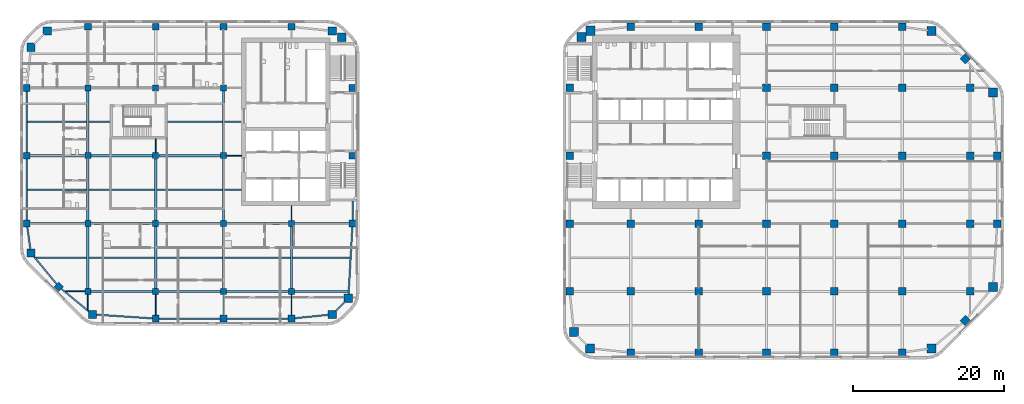
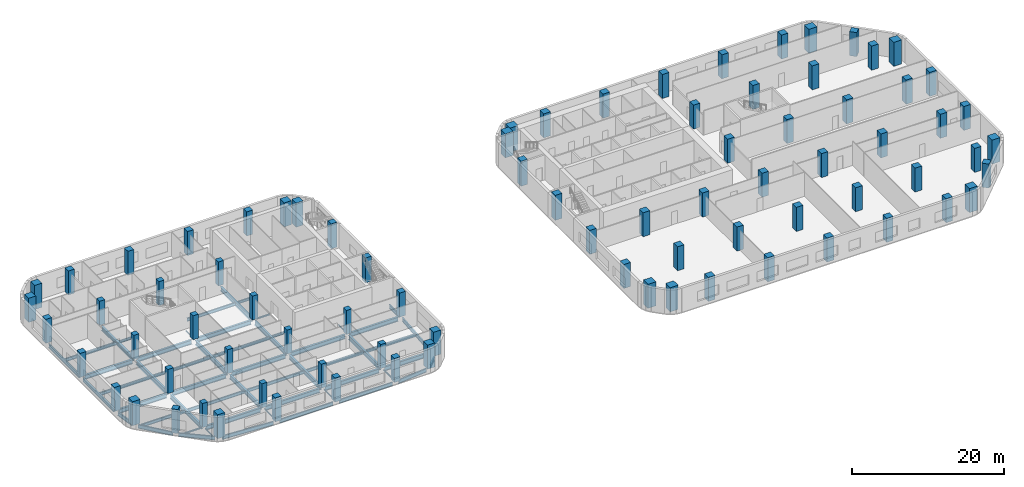
# One storey, part 1 of 16: 82 columns, 54 beams.
"""IFC4 building model written with IfcOpenShell, lengths in metres."""

import ifcopenshell
import ifcopenshell.guid

model = None  # the IFC model being written
_history = None  # IfcOwnerHistory: only IFC2X3 demands one
_inside = {}  # id of a spatial element -> (the spatial element, [elements in it])
_under = {}  # id of a project, library or spatial element -> (it, [spatial elements below it])
_declared = {}  # id of a project -> (the project, [libraries it declares])
_typed = {}  # id of a type object -> (the type object, [elements of that type])
_made_of = {}  # id of a material, layer set ... -> (it, [elements and type objects made of it])


def new_model(schema):
    """Start an empty IFC model of exactly this schema.

    Asked for "IFC4X3", IfcOpenShell would pick the latest addendum, in which some entities
    have other attributes; the version numbers below select the first issue.
    IFC2X3 requires an IfcOwnerHistory on every rooted entity: one is made here for all.
    """
    global model, _history
    if schema == "IFC4X3":
        model = ifcopenshell.file(schema_version=(4, 3, 0, 0))
    else:
        model = ifcopenshell.file(schema=schema)
    _inside.clear()
    _under.clear()
    _declared.clear()
    _typed.clear()
    _made_of.clear()
    _history = None
    if model.schema == "IFC2X3":
        org = make("IfcOrganization", Name="unknown")
        user = make(
            "IfcPersonAndOrganization",
            ThePerson=make("IfcPerson", FamilyName="unknown"),
            TheOrganization=org,
        )
        app = make(
            "IfcApplication",
            ApplicationDeveloper=org,
            Version="unknown",
            ApplicationFullName="unknown",
            ApplicationIdentifier="unknown",
        )
        _history = make(
            "IfcOwnerHistory",
            OwningUser=user,
            OwningApplication=app,
            ChangeAction="ADDED",
            CreationDate=0,
        )
    return model


def make(cls, **values):
    """One entity of the class cls with the attributes given. An attribute that is None is left unset."""
    return model.create_entity(
        cls, **{name: value for name, value in values.items() if value is not None}
    )


def rooted(cls, **values):
    """An entity with a GlobalId (a new one), such as an element, a storey or a relation."""
    return make(cls, GlobalId=ifcopenshell.guid.new(), OwnerHistory=_history, **values)


def si_unit(unit_type, name, prefix=None):
    """IfcSIUnit, for example si_unit("LENGTHUNIT", "METRE", prefix="MILLI")."""
    return make("IfcSIUnit", UnitType=unit_type, Prefix=prefix, Name=name)


def assignment(units):
    """IfcUnitAssignment: the units of a project."""
    return None if units is None else make("IfcUnitAssignment", Units=units)


def point(xyz):
    """IfcCartesianPoint."""
    return None if xyz is None else make("IfcCartesianPoint", Coordinates=xyz)


def direction(xyz):
    """IfcDirection."""
    return None if xyz is None else make("IfcDirection", DirectionRatios=xyz)


def frame(location, z_axis=None, x_axis=None):
    """IfcAxis2Placement3D, a coordinate frame: its origin and axes. An axis left out is left unset."""
    return make(
        "IfcAxis2Placement3D",
        Location=point(location),
        Axis=direction(z_axis),
        RefDirection=direction(x_axis),
    )


def frame_2d(location, x_axis=None):
    """IfcAxis2Placement2D, a coordinate frame in the plane: its origin and x axis."""
    return make(
        "IfcAxis2Placement2D", Location=point(location), RefDirection=direction(x_axis)
    )


def origin():
    """The frame at (0, 0, 0) with its axes left unset."""
    return frame((0.0, 0.0, 0.0))


def origin_2d():
    """The frame at (0, 0) in the plane with its x axis left unset."""
    return frame_2d((0.0, 0.0))


def place(relative_to, where):
    """IfcLocalPlacement: puts the frame where relative to a parent placement (None: the world)."""
    return make(
        "IfcLocalPlacement", PlacementRelTo=relative_to, RelativePlacement=where
    )


def context(
    kind, dimensions, precision=None, world=None, true_north=None, identifier=None
):
    """IfcGeometricRepresentationContext, for example the 3D "Model" context."""
    return make(
        "IfcGeometricRepresentationContext",
        ContextIdentifier=identifier,
        ContextType=kind,
        CoordinateSpaceDimension=dimensions,
        Precision=precision,
        WorldCoordinateSystem=world,
        TrueNorth=true_north,
    )


def subcontext(parent, identifier, kind, view, scale=None):
    """IfcGeometricRepresentationSubContext, for example "Body" below "Model"."""
    return make(
        "IfcGeometricRepresentationSubContext",
        ContextIdentifier=identifier,
        ContextType=kind,
        ParentContext=parent,
        TargetScale=scale,
        TargetView=view,
    )


def project(units=None, contexts=None):
    """IfcProject with its units and contexts."""
    return rooted(
        "IfcProject",
        Name="project",
        RepresentationContexts=contexts,
        UnitsInContext=assignment(units),
    )


def spatial(cls, under=None, at=None, **own):
    """A site, building, storey or space (cls), placed at a placement, below another one or the project."""
    s = rooted(cls, ObjectPlacement=at, **own)
    if under is not None:
        _under.setdefault(under.id(), (under, []))[1].append(s)
    return s


def profile(cls, at=None, kind="AREA", **sizes):
    """A parametric profile (cls). Its sizes go by their IFC names, for example OverallWidth=200.0."""
    return make(cls, ProfileType=kind, Position=at, **sizes)


def rectangle(**sizes):
    """IfcRectangleProfileDef."""
    return profile("IfcRectangleProfileDef", **sizes)


def i_section(**sizes):
    """IfcIShapeProfileDef."""
    return profile("IfcIShapeProfileDef", **sizes)


def extrude(swept, where, along, depth):
    """IfcExtrudedAreaSolid: the profile swept, set in the frame where, extruded along a direction by depth."""
    return make(
        "IfcExtrudedAreaSolid",
        SweptArea=swept,
        Position=where,
        ExtrudedDirection=direction(along),
        Depth=depth,
    )


def shape(context_of_items, identifier, shape_type, items):
    """IfcShapeRepresentation: the items that make up one representation, for example the "Body"."""
    return make(
        "IfcShapeRepresentation",
        ContextOfItems=context_of_items,
        RepresentationIdentifier=identifier,
        RepresentationType=shape_type,
        Items=items,
    )


def material(Name=None, Category=None):
    """IfcMaterial."""
    return make("IfcMaterial", Name=Name, Category=Category)


def material_profile(
    of_material, cross_section, Name=None, Category=None, Priority=None
):
    """IfcMaterialProfile: a cross section and its material."""
    return make(
        "IfcMaterialProfile",
        Name=Name,
        Material=of_material,
        Profile=cross_section,
        Priority=Priority,
        Category=Category,
    )


def profile_set(profiles, Name=None, composite=None):
    """IfcMaterialProfileSet."""
    return make(
        "IfcMaterialProfileSet",
        Name=Name,
        MaterialProfiles=profiles,
        CompositeProfile=composite,
    )


def made_of(thing, what):
    """Note that an element or type object is made of a material, layer set ...; save() writes the relation."""
    if what is not None:
        _made_of.setdefault(what.id(), (what, []))[1].append(thing)
    return thing


def type_object(cls, material=None, **own):
    """A type object (cls), such as IfcWallType, which elements share."""
    return made_of(rooted(cls, **own), material)


def element(
    cls,
    number,
    at=None,
    inside=None,
    cuts=None,
    type_object=None,
    material=None,
    context=None,
    identifier="Body",
    shape_type=None,
    held_by="IfcProductDefinitionShape",
    body=None,
    shapes=None,
    **own,
):
    """One element of the class cls, such as IfcWall. Its Tag is "e" and its number.

    at: its placement. inside: the storey or other place that contains it. cuts: it is an
    opening in that element (IfcRelVoidsElement). A single representation is given by context,
    identifier, shape_type and body (its items); several are given by shapes. held_by: the class
    of the entity that holds the representations. save() writes the other relations.
    """
    e = rooted(cls, Tag="e%d" % number, ObjectPlacement=at, **own)
    if body is not None:
        shapes = [shape(context, identifier, shape_type, body)]
    if shapes is not None:
        e.Representation = make(held_by, Representations=shapes)
    if inside is not None:
        _inside.setdefault(inside.id(), (inside, []))[1].append(e)
    if cuts is not None:
        rooted(
            "IfcRelVoidsElement", RelatingBuildingElement=cuts, RelatedOpeningElement=e
        )
    if type_object is not None:
        _typed.setdefault(type_object.id(), (type_object, []))[1].append(e)
    return made_of(e, material)


def aggregate(whole, parts):
    """IfcRelAggregates: a whole, such as a stair, and the parts it consists of."""
    return rooted("IfcRelAggregates", RelatingObject=whole, RelatedObjects=parts)


def save(model, path):
    """Write the relations noted so far, then the file.

    IfcRelAggregates (storeys below a building ...), IfcRelContainedInSpatialStructure (elements
    in a storey), IfcRelDefinesByType, IfcRelAssociatesMaterial and IfcRelDeclares: one each for
    every whole, place, type object, material and project.
    """
    for whole, parts in _under.values():
        aggregate(whole, parts)
    for where, things in _inside.values():
        rooted(
            "IfcRelContainedInSpatialStructure",
            RelatedElements=things,
            RelatingStructure=where,
        )
    for kind, things in _typed.values():
        rooted("IfcRelDefinesByType", RelatedObjects=things, RelatingType=kind)
    for what, things in _made_of.values():
        rooted("IfcRelAssociatesMaterial", RelatedObjects=things, RelatingMaterial=what)
    for by, libraries in _declared.values():
        rooted("IfcRelDeclares", RelatingContext=by, RelatedDefinitions=libraries)
    model.write(path)


model = new_model("IFC4")

# Units and contexts
model_context = context("Model", 3, precision=1e-05, world=origin(), true_north=direction((0.0, 1.0)))
body_context = subcontext(model_context, "Body", "Model", "MODEL_VIEW")
ifc_project = project(units=[si_unit("LENGTHUNIT", "METRE"), si_unit("AREAUNIT", "SQUARE_METRE"), si_unit("VOLUMEUNIT", "CUBIC_METRE"), si_unit("PLANEANGLEUNIT", "RADIAN"), si_unit("MASSUNIT", "GRAM", prefix="KILO")], contexts=[model_context])

# Site, building, storey
site_placement = place(None, origin())
site = spatial("IfcSite", under=ifc_project, at=site_placement, CompositionType="ELEMENT")
building_placement = place(site_placement, origin())
building = spatial("IfcBuilding", under=site, at=building_placement, Name="Cinnabar Reach Civic Tower", CompositionType="ELEMENT")
storey_placement = place(building_placement, frame((0.0, 0.0, 38.0)))
storey = spatial("IfcBuildingStorey", under=building, at=storey_placement, Name="L08", CompositionType="ELEMENT", Elevation=38.0)

# Columns
ifc_material_1 = material(Name="Concrete C70", Category="concrete")
ifc_material_profile_1 = material_profile(ifc_material_1, rectangle(XDim=1.0, YDim=1.0, at=origin_2d()), Name="RC1000")
ifc_profile_set_1 = profile_set([ifc_material_profile_1], Name="Concrete C70")
column_type_1 = type_object("IfcColumnType", Name="RC1000 column R 240", PredefinedType="COLUMN", material=ifc_profile_set_1)
for number, where, z_axis, x_axis, name in (
    (1, (9.0, 0.9, 0.0), (0.0, 0.0, 1.0), (1.0, 0.0, 0.0), "Column T1-Z1-F0-1"),
    (2, (18.0, 0.9, 0.0), (0.0, 0.0, 1.0), (1.0, 0.0, 0.0), "Column T1-Z1-F0-2"),
    (3, (27.0, 0.9, 0.0), (0.0, 0.0, 1.0), (1.0, 0.0, 0.0), "Column T1-Z1-F0-3"),
    (4, (36.0, 0.9, 0.0), (0.0, 0.0, 1.0), (1.0, 0.0, 0.0), "Column T1-Z1-F0-4"),
    (5, (45.0, 0.9, 0.0), (0.0, 0.0, 1.0), (1.0, 0.0, 0.0), "Column T1-Z1-F0-5"),
    (6, (53.3636, 5.1364, 0.0), (0.0, 0.0, 1.0), (0.707106781187, 0.707106781187, 0.0), "Column T1-Z1-F1-M"),
    (7, (57.6, 18.0, 0.0), (0.0, 0.0, 1.0), (1.0, 0.0, 0.0), "Column T1-Z1-F2-2"),
    (8, (57.6, 27.0, 0.0), (0.0, 0.0, 1.0), (1.0, 0.0, 0.0), "Column T1-Z1-F2-3"),
    (9, (53.3636, 39.8636, 0.0), (0.0, 0.0, 1.0), (0.707106781187, 0.707106781187, 0.0), "Column T1-Z1-F3-M"),
    (10, (9.0, 44.1, 0.0), (0.0, 0.0, 1.0), (1.0, 0.0, 0.0), "Column T1-Z1-F4-1"),
    (11, (18.0, 44.1, 0.0), (0.0, 0.0, 1.0), (1.0, 0.0, 0.0), "Column T1-Z1-F4-2"),
    (12, (27.0, 44.1, 0.0), (0.0, 0.0, 1.0), (1.0, 0.0, 0.0), "Column T1-Z1-F4-3"),
    (13, (36.0, 44.1, 0.0), (0.0, 0.0, 1.0), (1.0, 0.0, 0.0), "Column T1-Z1-F4-4"),
    (14, (45.0, 44.1, 0.0), (0.0, 0.0, 1.0), (1.0, 0.0, 0.0), "Column T1-Z1-F4-5"),
    (15, (0.9, 9.0, 0.0), (0.0, 0.0, 1.0), (1.0, 0.0, 0.0), "Column T1-Z1-F6-1"),
    (16, (0.9, 18.0, 0.0), (0.0, 0.0, 1.0), (1.0, 0.0, 0.0), "Column T1-Z1-F6-2"),
):
    element("IfcColumn", number, at=place(storey_placement, frame(where, z_axis=z_axis, x_axis=x_axis)), inside=storey, type_object=column_type_1, Name=name, PredefinedType="COLUMN", context=body_context, shape_type="SweptSolid", body=[
        extrude(rectangle(XDim=1.0, YDim=1.0, at=origin_2d()), origin(), (0.0, 0.0, 1.0), 3.85),
    ])
for number, where, z_axis, x_axis, name in (
    (17, (0.9, 27.0, 0.0), (0.0, 0.0, 1.0), (1.0, 0.0, 0.0), "Column T1-Z1-F6-3"),
    (18, (0.9, 36.0, 0.0), (0.0, 0.0, 1.0), (1.0, 0.0, 0.0), "Column T1-Z1-F6-4"),
):
    element("IfcColumn", number, at=place(storey_placement, frame(where, z_axis=z_axis, x_axis=x_axis)), inside=storey, type_object=column_type_1, Name=name, PredefinedType="COLUMN", context=body_context, shape_type="SweptSolid", body=[
        extrude(rectangle(XDim=1.0, YDim=1.0, at=origin_2d()), origin(), (0.0, 0.0, 1.0), 4.0),
    ])
for number, where, z_axis, x_axis, name in (
    (19, (9.0, 9.0, 0.0), (0.0, 0.0, 1.0), (1.0, 0.0, 0.0), "Column T1-Z1-I9_9"),
    (20, (9.0, 18.0, 0.0), (0.0, 0.0, 1.0), (1.0, 0.0, 0.0), "Column T1-Z1-I9_18"),
    (21, (18.0, 9.0, 0.0), (0.0, 0.0, 1.0), (1.0, 0.0, 0.0), "Column T1-Z1-I18_9"),
    (22, (18.0, 18.0, 0.0), (0.0, 0.0, 1.0), (1.0, 0.0, 0.0), "Column T1-Z1-I18_18"),
    (23, (27.0, 9.0, 0.0), (0.0, 0.0, 1.0), (1.0, 0.0, 0.0), "Column T1-Z1-I27_9"),
    (24, (27.0, 18.0, 0.0), (0.0, 0.0, 1.0), (1.0, 0.0, 0.0), "Column T1-Z1-I27_18"),
    (25, (27.0, 27.0, 0.0), (0.0, 0.0, 1.0), (1.0, 0.0, 0.0), "Column T1-Z1-I27_27"),
    (26, (27.0, 36.0, 0.0), (0.0, 0.0, 1.0), (1.0, 0.0, 0.0), "Column T1-Z1-I27_36"),
    (27, (36.0, 9.0, 0.0), (0.0, 0.0, 1.0), (1.0, 0.0, 0.0), "Column T1-Z1-I36_9"),
    (28, (36.0, 18.0, 0.0), (0.0, 0.0, 1.0), (1.0, 0.0, 0.0), "Column T1-Z1-I36_18"),
    (29, (36.0, 27.0, 0.0), (0.0, 0.0, 1.0), (1.0, 0.0, 0.0), "Column T1-Z1-I36_27"),
    (30, (36.0, 36.0, 0.0), (0.0, 0.0, 1.0), (1.0, 0.0, 0.0), "Column T1-Z1-I36_36"),
    (31, (45.0, 9.0, 0.0), (0.0, 0.0, 1.0), (1.0, 0.0, 0.0), "Column T1-Z1-I45_9"),
    (32, (45.0, 18.0, 0.0), (0.0, 0.0, 1.0), (1.0, 0.0, 0.0), "Column T1-Z1-I45_18"),
    (33, (45.0, 27.0, 0.0), (0.0, 0.0, 1.0), (1.0, 0.0, 0.0), "Column T1-Z1-I45_27"),
    (34, (45.0, 36.0, 0.0), (0.0, 0.0, 1.0), (1.0, 0.0, 0.0), "Column T1-Z1-I45_36"),
    (35, (54.0, 9.0, 0.0), (0.0, 0.0, 1.0), (1.0, 0.0, 0.0), "Column T1-Z1-I54_9"),
    (36, (54.0, 18.0, 0.0), (0.0, 0.0, 1.0), (1.0, 0.0, 0.0), "Column T1-Z1-I54_18"),
    (37, (54.0, 27.0, 0.0), (0.0, 0.0, 1.0), (1.0, 0.0, 0.0), "Column T1-Z1-I54_27"),
    (38, (54.0, 36.0, 0.0), (0.0, 0.0, 1.0), (1.0, 0.0, 0.0), "Column T1-Z1-I54_36"),
):
    element("IfcColumn", number, at=place(storey_placement, frame(where, z_axis=z_axis, x_axis=x_axis)), inside=storey, type_object=column_type_1, Name=name, PredefinedType="COLUMN", context=body_context, shape_type="SweptSolid", body=[
        extrude(rectangle(XDim=1.0, YDim=1.0, at=origin_2d()), origin(), (0.0, 0.0, 1.0), 3.85),
    ])
ifc_material_2 = material(Name="Concrete C80", Category="concrete")
ifc_material_profile_2 = material_profile(ifc_material_2, rectangle(XDim=1.1, YDim=1.1, at=origin_2d()), Name="RC1100")
ifc_profile_set_2 = profile_set([ifc_material_profile_2], Name="Concrete C80")
column_type_2 = type_object("IfcColumnType", Name="RC1100 column R 180", PredefinedType="COLUMN", material=ifc_profile_set_2)
for number, where, z_axis, x_axis, name in (
    (39, (-62.3981, 5.9531, 0.0), (0.0, 0.0, 1.0), (1.0, 0.0, 0.0), "Column T2-Z1-CC0"),
    (40, (-30.6019, 5.9531, 0.0), (0.0, 0.0, 1.0), (1.0, 0.0, 0.0), "Column T2-Z1-CC1"),
    (41, (-28.4531, 8.1019, 0.0), (0.0, 0.0, 1.0), (1.0, 0.0, 0.0), "Column T2-Z1-CC2"),
    (42, (-29.3131, 42.7, 0.0), (0.0, 0.0, 1.0), (1.0, 0.0, 0.0), "Column T2-Z1-CC3"),
    (43, (-30.6019, 43.5469, 0.0), (0.0, 0.0, 1.0), (1.0, 0.0, 0.0), "Column T2-Z1-CC4"),
    (44, (-68.3981, 43.5469, 0.0), (0.0, 0.0, 1.0), (1.0, 0.0, 0.0), "Column T2-Z1-CC5"),
    (45, (-70.5469, 41.3981, 0.0), (0.0, 0.0, 1.0), (1.0, 0.0, 0.0), "Column T2-Z1-CC6"),
    (46, (-70.5469, 14.1019, 0.0), (0.0, 0.0, 1.0), (1.0, 0.0, 0.0), "Column T2-Z1-CC7"),
):
    element("IfcColumn", number, at=place(storey_placement, frame(where, z_axis=z_axis, x_axis=x_axis)), inside=storey, type_object=column_type_2, Name=name, PredefinedType="COLUMN", context=body_context, shape_type="SweptSolid", body=[
        extrude(rectangle(XDim=1.1, YDim=1.1, at=origin_2d()), origin(), (0.0, 0.0, 1.0), 3.85),
    ])
ifc_material_profile_3 = material_profile(ifc_material_2, rectangle(XDim=1.2, YDim=1.2, at=origin_2d()), Name="RC1200")
ifc_profile_set_3 = profile_set([ifc_material_profile_3], Name="Concrete C80")
column_type_3 = type_object("IfcColumnType", Name="RC1200 column R 240", PredefinedType="COLUMN", material=ifc_profile_set_3)
for number, where, z_axis, x_axis, name in (
    (47, (3.6019, 1.4531, 0.0), (0.0, 0.0, 1.0), (1.0, 0.0, 0.0), "Column T1-Z1-CC0"),
    (48, (48.8981, 1.4531, 0.0), (0.0, 0.0, 1.0), (1.0, 0.0, 0.0), "Column T1-Z1-CC1"),
    (49, (57.0469, 9.6019, 0.0), (0.0, 0.0, 1.0), (1.0, 0.0, 0.0), "Column T1-Z1-CC2"),
    (50, (57.0469, 35.3981, 0.0), (0.0, 0.0, 1.0), (1.0, 0.0, 0.0), "Column T1-Z1-CC3"),
    (51, (48.8981, 43.5469, 0.0), (0.0, 0.0, 1.0), (1.0, 0.0, 0.0), "Column T1-Z1-CC4"),
    (52, (3.6666, 43.5737, 0.0), (0.0, 0.0, 1.0), (1.0, 0.0, 0.0), "Column T1-Z1-CC5"),
    (53, (2.4631, 42.75, 0.0), (0.0, 0.0, 1.0), (1.0, 0.0, 0.0), "Column T1-Z1-CC6"),
    (54, (1.4531, 3.6019, 0.0), (0.0, 0.0, 1.0), (1.0, 0.0, 0.0), "Column T1-Z1-CC7"),
):
    element("IfcColumn", number, at=place(storey_placement, frame(where, z_axis=z_axis, x_axis=x_axis)), inside=storey, type_object=column_type_3, Name=name, PredefinedType="COLUMN", context=body_context, shape_type="SweptSolid", body=[
        extrude(rectangle(XDim=1.2, YDim=1.2, at=origin_2d()), origin(), (0.0, 0.0, 1.0), 3.85),
    ])
ifc_material_3 = material(Name="Concrete C60", Category="concrete")
ifc_material_profile_4 = material_profile(ifc_material_3, rectangle(XDim=0.8, YDim=0.8, at=origin_2d()), Name="RC800")
ifc_profile_set_4 = profile_set([ifc_material_profile_4], Name="Concrete C60")
column_type_4 = type_object("IfcColumnType", Name="RC800 column R 180", PredefinedType="COLUMN", material=ifc_profile_set_4)
for number, where, z_axis, x_axis, name in (
    (55, (-63.0, 9.0, 0.0), (0.0, 0.0, 1.0), (1.0, 0.0, 0.0), "Column T2-Z1-I-63_9"),
    (56, (-63.0, 18.0, 0.0), (0.0, 0.0, 1.0), (1.0, 0.0, 0.0), "Column T2-Z1-I-63_18"),
    (57, (-63.0, 27.0, 0.0), (0.0, 0.0, 1.0), (1.0, 0.0, 0.0), "Column T2-Z1-I-63_27"),
    (58, (-63.0, 36.0, 0.0), (0.0, 0.0, 1.0), (1.0, 0.0, 0.0), "Column T2-Z1-I-63_36"),
    (59, (-54.0, 9.0, 0.0), (0.0, 0.0, 1.0), (1.0, 0.0, 0.0), "Column T2-Z1-I-54_9"),
    (60, (-54.0, 18.0, 0.0), (0.0, 0.0, 1.0), (1.0, 0.0, 0.0), "Column T2-Z1-I-54_18"),
    (61, (-54.0, 27.0, 0.0), (0.0, 0.0, 1.0), (1.0, 0.0, 0.0), "Column T2-Z1-I-54_27"),
    (62, (-54.0, 36.0, 0.0), (0.0, 0.0, 1.0), (1.0, 0.0, 0.0), "Column T2-Z1-I-54_36"),
    (63, (-45.0, 9.0, 0.0), (0.0, 0.0, 1.0), (1.0, 0.0, 0.0), "Column T2-Z1-I-45_9"),
    (64, (-45.0, 18.0, 0.0), (0.0, 0.0, 1.0), (1.0, 0.0, 0.0), "Column T2-Z1-I-45_18"),
    (65, (-45.0, 27.0, 0.0), (0.0, 0.0, 1.0), (1.0, 0.0, 0.0), "Column T2-Z1-I-45_27"),
    (66, (-45.0, 36.0, 0.0), (0.0, 0.0, 1.0), (1.0, 0.0, 0.0), "Column T2-Z1-I-45_36"),
    (67, (-36.0, 9.0, 0.0), (0.0, 0.0, 1.0), (1.0, 0.0, 0.0), "Column T2-Z1-I-36_9"),
    (68, (-36.0, 18.0, 0.0), (0.0, 0.0, 1.0), (1.0, 0.0, 0.0), "Column T2-Z1-I-36_18"),
):
    element("IfcColumn", number, at=place(storey_placement, frame(where, z_axis=z_axis, x_axis=x_axis)), inside=storey, type_object=column_type_4, Name=name, PredefinedType="COLUMN", context=body_context, shape_type="SweptSolid", body=[
        extrude(rectangle(XDim=0.8, YDim=0.8, at=origin_2d()), origin(), (0.0, 0.0, 1.0), 3.85),
    ])
ifc_material_profile_5 = material_profile(ifc_material_1, rectangle(XDim=0.9, YDim=0.9, at=origin_2d()), Name="RC900")
ifc_profile_set_5 = profile_set([ifc_material_profile_5], Name="Concrete C70")
column_type_5 = type_object("IfcColumnType", Name="RC900 column R 180", PredefinedType="COLUMN", material=ifc_profile_set_5)
for number, where, z_axis, x_axis, name in (
    (69, (-54.0, 5.4, 0.0), (0.0, 0.0, 1.0), (1.0, 0.0, 0.0), "Column T2-Z1-F0--6"),
    (70, (-45.0, 5.4, 0.0), (0.0, 0.0, 1.0), (1.0, 0.0, 0.0), "Column T2-Z1-F0--5"),
    (71, (-36.0, 5.4, 0.0), (0.0, 0.0, 1.0), (1.0, 0.0, 0.0), "Column T2-Z1-F0--4"),
    (72, (-27.9, 18.0, 0.0), (0.0, 0.0, 1.0), (1.0, 0.0, 0.0), "Column T2-Z1-F2-2"),
):
    element("IfcColumn", number, at=place(storey_placement, frame(where, z_axis=z_axis, x_axis=x_axis)), inside=storey, type_object=column_type_5, Name=name, PredefinedType="COLUMN", context=body_context, shape_type="SweptSolid", body=[
        extrude(rectangle(XDim=0.9, YDim=0.9, at=origin_2d()), origin(), (0.0, 0.0, 1.0), 3.85),
    ])
for number, where, z_axis, x_axis, name in (
    (73, (-27.9, 27.0, 0.0), (0.0, 0.0, 1.0), (1.0, 0.0, 0.0), "Column T2-Z1-F2-3"),
    (74, (-27.9, 36.0, 0.0), (0.0, 0.0, 1.0), (1.0, 0.0, 0.0), "Column T2-Z1-F2-4"),
):
    element("IfcColumn", number, at=place(storey_placement, frame(where, z_axis=z_axis, x_axis=x_axis)), inside=storey, type_object=column_type_5, Name=name, PredefinedType="COLUMN", context=body_context, shape_type="SweptSolid", body=[
        extrude(rectangle(XDim=0.9, YDim=0.9, at=origin_2d()), origin(), (0.0, 0.0, 1.0), 4.0),
    ])
for number, where, z_axis, x_axis, name in (
    (75, (-63.0, 44.1, 0.0), (0.0, 0.0, 1.0), (1.0, 0.0, 0.0), "Column T2-Z1-F4--7"),
    (76, (-54.0, 44.1, 0.0), (0.0, 0.0, 1.0), (1.0, 0.0, 0.0), "Column T2-Z1-F4--6"),
    (77, (-45.0, 44.1, 0.0), (0.0, 0.0, 1.0), (1.0, 0.0, 0.0), "Column T2-Z1-F4--5"),
    (78, (-36.0, 44.1, 0.0), (0.0, 0.0, 1.0), (1.0, 0.0, 0.0), "Column T2-Z1-F4--4"),
    (79, (-71.1, 18.0, 0.0), (0.0, 0.0, 1.0), (1.0, 0.0, 0.0), "Column T2-Z1-F6-2"),
    (80, (-71.1, 27.0, 0.0), (0.0, 0.0, 1.0), (1.0, 0.0, 0.0), "Column T2-Z1-F6-3"),
    (81, (-71.1, 36.0, 0.0), (0.0, 0.0, 1.0), (1.0, 0.0, 0.0), "Column T2-Z1-F6-4"),
    (82, (-66.8636, 9.6364, 0.0), (0.0, 0.0, 1.0), (0.707106781187, 0.707106781187, 0.0), "Column T2-Z1-F7-M"),
):
    element("IfcColumn", number, at=place(storey_placement, frame(where, z_axis=z_axis, x_axis=x_axis)), inside=storey, type_object=column_type_5, Name=name, PredefinedType="COLUMN", context=body_context, shape_type="SweptSolid", body=[
        extrude(rectangle(XDim=0.9, YDim=0.9, at=origin_2d()), origin(), (0.0, 0.0, 1.0), 3.85),
    ])

# Beams
ifc_material_4 = material(Name="Steel Q355B", Category="steel")
ifc_material_profile_6 = material_profile(ifc_material_4, i_section(OverallWidth=0.099, OverallDepth=0.198, WebThickness=0.0045, FlangeThickness=0.007, FilletRadius=0.013, at=origin_2d()), Name="HN200x100x5.5x8")
ifc_profile_set_6 = profile_set([ifc_material_profile_6], Name="Steel Q355B")
beam_type_1 = type_object("IfcBeamType", Name="HN200x100x5.5x8 beam R 120", PredefinedType="BEAM", material=ifc_profile_set_6)
beam_1_placement = place(storey_placement, frame((-63.0, 6.5818, -0.249), z_axis=(0.0, 1.0, 0.0), x_axis=(-1.0, 0.0, 0.0)))
element("IfcBeam", 83, at=beam_1_placement, inside=storey, type_object=beam_type_1, Name="Girder T2 L08 1", PredefinedType="BEAM", context=body_context, shape_type="SweptSolid", body=[
    extrude(i_section(OverallWidth=0.099, OverallDepth=0.198, WebThickness=0.0045, FlangeThickness=0.007, FilletRadius=0.013, at=origin_2d()), origin(), (0.0, 0.0, 1.0), 2.0162),
])
beam_2_placement = place(storey_placement, frame((-54.0, 5.852, -0.249), z_axis=(0.0, 1.0, 0.0), x_axis=(-1.0, 0.0, 0.0)))
element("IfcBeam", 84, at=beam_2_placement, inside=storey, type_object=beam_type_1, Name="Girder T2 L08 6", PredefinedType="BEAM", context=body_context, shape_type="SweptSolid", body=[
    extrude(i_section(OverallWidth=0.099, OverallDepth=0.198, WebThickness=0.0045, FlangeThickness=0.007, FilletRadius=0.013, at=origin_2d()), origin(), (0.0, 0.0, 1.0), 2.746),
])
beam_3_placement = place(storey_placement, frame((-54.0, 27.402, -0.249), z_axis=(0.0, 1.0, 0.0), x_axis=(-1.0, 0.0, 0.0)))
element("IfcBeam", 85, at=beam_3_placement, inside=storey, type_object=beam_type_1, Name="Girder T2 L08 9", PredefinedType="BEAM", context=body_context, shape_type="SweptSolid", body=[
    extrude(i_section(OverallWidth=0.099, OverallDepth=0.198, WebThickness=0.0045, FlangeThickness=0.007, FilletRadius=0.013, at=origin_2d()), origin(), (0.0, 0.0, 1.0), 1.846),
])
for number, where, z_axis, x_axis, name in (
    (86, (-45.0, 5.852, -0.249), (0.0, 1.0, 0.0), (-1.0, 0.0, 0.0), "Girder T2 L08 12"),
    (87, (-36.0, 5.852, -0.249), (0.0, 1.0, 0.0), (-1.0, 0.0, 0.0), "Girder T2 L08 17"),
):
    element("IfcBeam", number, at=place(storey_placement, frame(where, z_axis=z_axis, x_axis=x_axis)), inside=storey, type_object=beam_type_1, Name=name, PredefinedType="BEAM", context=body_context, shape_type="SweptSolid", body=[
        extrude(i_section(OverallWidth=0.099, OverallDepth=0.198, WebThickness=0.0045, FlangeThickness=0.007, FilletRadius=0.013, at=origin_2d()), origin(), (0.0, 0.0, 1.0), 2.746),
    ])
beam_4_placement = place(storey_placement, frame((-36.0, 18.402, -0.249), z_axis=(0.0, 1.0, 0.0), x_axis=(-1.0, 0.0, 0.0)))
element("IfcBeam", 88, at=beam_4_placement, inside=storey, type_object=beam_type_1, Name="Girder T2 L08 19", PredefinedType="BEAM", context=body_context, shape_type="SweptSolid", body=[
    extrude(i_section(OverallWidth=0.099, OverallDepth=0.198, WebThickness=0.0045, FlangeThickness=0.007, FilletRadius=0.013, at=origin_2d()), origin(), (0.0, 0.0, 1.0), 1.996),
])
ifc_material_profile_7 = material_profile(ifc_material_4, i_section(OverallWidth=0.124, OverallDepth=0.248, WebThickness=0.005, FlangeThickness=0.008, FilletRadius=0.013, at=origin_2d()), Name="HN250x125x6x9")
ifc_profile_set_7 = profile_set([ifc_material_profile_7], Name="Steel Q355B")
beam_type_2 = type_object("IfcBeamType", Name="HN250x125x6x9 beam R 120", PredefinedType="BEAM", material=ifc_profile_set_7)
beam_5_placement = place(storey_placement, frame((-65.9318, 9.0, -0.274), z_axis=(1.0, 0.0, 0.0), x_axis=(0.0, 1.0, 0.0)))
element("IfcBeam", 89, at=beam_5_placement, inside=storey, type_object=beam_type_2, Name="Girder T2 L08 1", PredefinedType="BEAM", context=body_context, shape_type="SweptSolid", body=[
    extrude(i_section(OverallWidth=0.124, OverallDepth=0.248, WebThickness=0.005, FlangeThickness=0.008, FilletRadius=0.013, at=origin_2d()), origin(), (0.0, 0.0, 1.0), 2.5298),
])
beam_6_placement = place(storey_placement, frame((-44.598, 27.0, -0.274), z_axis=(1.0, 0.0, 0.0), x_axis=(0.0, 1.0, 0.0)))
element("IfcBeam", 90, at=beam_6_placement, inside=storey, type_object=beam_type_2, Name="Girder T2 L08 14", PredefinedType="BEAM", context=body_context, shape_type="SweptSolid", body=[
    extrude(i_section(OverallWidth=0.124, OverallDepth=0.248, WebThickness=0.005, FlangeThickness=0.008, FilletRadius=0.013, at=origin_2d()), origin(), (0.0, 0.0, 1.0), 1.996),
])
ifc_material_profile_8 = material_profile(ifc_material_4, i_section(OverallWidth=0.2, OverallDepth=0.4, WebThickness=0.008, FlangeThickness=0.013, FilletRadius=0.016, at=origin_2d()), Name="HN400x200x8x13")
ifc_profile_set_8 = profile_set([ifc_material_profile_8], Name="Steel Q355B")
beam_type_3 = type_object("IfcBeamType", Name="HN400x200x8x13 beam R 120", PredefinedType="BEAM", material=ifc_profile_set_8)
beam_7_placement = place(storey_placement, frame((-44.848, 22.5, -0.35), z_axis=(1.0, 0.0, 0.0), x_axis=(0.0, 1.0, 0.0)))
element("IfcBeam", 91, at=beam_7_placement, inside=storey, type_object=beam_type_3, Name="Secondary beam T2 L08 9", PredefinedType="BEAM", context=body_context, shape_type="SweptSolid", body=[
    extrude(i_section(OverallWidth=0.2, OverallDepth=0.4, WebThickness=0.008, FlangeThickness=0.013, FilletRadius=0.016, at=origin_2d()), origin(), (0.0, 0.0, 1.0), 2.246),
])
beam_8_placement = place(storey_placement, frame((-62.848, 31.5, -0.35), z_axis=(1.0, 0.0, 0.0), x_axis=(0.0, 1.0, 0.0)))
element("IfcBeam", 92, at=beam_8_placement, inside=storey, type_object=beam_type_3, Name="Secondary beam T2 L08 11", PredefinedType="BEAM", context=body_context, shape_type="SweptSolid", body=[
    extrude(i_section(OverallWidth=0.2, OverallDepth=0.4, WebThickness=0.008, FlangeThickness=0.013, FilletRadius=0.016, at=origin_2d()), origin(), (0.0, 0.0, 1.0), 2.846),
])
beam_9_placement = place(storey_placement, frame((-44.848, 31.5, -0.35), z_axis=(1.0, 0.0, 0.0), x_axis=(0.0, 1.0, 0.0)))
element("IfcBeam", 93, at=beam_9_placement, inside=storey, type_object=beam_type_3, Name="Secondary beam T2 L08 13", PredefinedType="BEAM", context=body_context, shape_type="SweptSolid", body=[
    extrude(i_section(OverallWidth=0.2, OverallDepth=0.4, WebThickness=0.008, FlangeThickness=0.013, FilletRadius=0.016, at=origin_2d()), origin(), (0.0, 0.0, 1.0), 2.246),
])
ifc_material_profile_9 = material_profile(ifc_material_4, i_section(OverallWidth=0.2, OverallDepth=0.5, WebThickness=0.01, FlangeThickness=0.016, FilletRadius=0.016, at=origin_2d()), Name="HN500x200x10x16")
ifc_profile_set_9 = profile_set([ifc_material_profile_9], Name="Steel Q355B")
beam_type_4 = type_object("IfcBeamType", Name="HN500x200x10x16 beam R 120", PredefinedType="BEAM", material=ifc_profile_set_9)
beam_10_placement = place(storey_placement, frame((-69.9182, 13.5, -0.4), z_axis=(1.0, 0.0, 0.0), x_axis=(0.0, 1.0, 0.0)))
element("IfcBeam", 94, at=beam_10_placement, inside=storey, type_object=beam_type_4, Name="Secondary beam T2 L08 1", PredefinedType="BEAM", context=body_context, shape_type="SweptSolid", body=[
    extrude(i_section(OverallWidth=0.2, OverallDepth=0.5, WebThickness=0.01, FlangeThickness=0.016, FilletRadius=0.016, at=origin_2d()), origin(), (0.0, 0.0, 1.0), 6.7662),
])
for number, where, z_axis, x_axis, name in (
    (95, (-62.848, 13.5, -0.4), (1.0, 0.0, 0.0), (0.0, 1.0, 0.0), "Secondary beam T2 L08 2"),
    (96, (-53.848, 13.5, -0.4), (1.0, 0.0, 0.0), (0.0, 1.0, 0.0), "Secondary beam T2 L08 3"),
    (97, (-44.848, 13.5, -0.4), (1.0, 0.0, 0.0), (0.0, 1.0, 0.0), "Secondary beam T2 L08 4"),
):
    element("IfcBeam", number, at=place(storey_placement, frame(where, z_axis=z_axis, x_axis=x_axis)), inside=storey, type_object=beam_type_4, Name=name, PredefinedType="BEAM", context=body_context, shape_type="SweptSolid", body=[
        extrude(i_section(OverallWidth=0.2, OverallDepth=0.5, WebThickness=0.01, FlangeThickness=0.016, FilletRadius=0.016, at=origin_2d()), origin(), (0.0, 0.0, 1.0), 8.696),
    ])
beam_11_placement = place(storey_placement, frame((-35.848, 13.5, -0.4), z_axis=(1.0, 0.0, 0.0), x_axis=(0.0, 1.0, 0.0)))
element("IfcBeam", 98, at=beam_11_placement, inside=storey, type_object=beam_type_4, Name="Secondary beam T2 L08 5", PredefinedType="BEAM", context=body_context, shape_type="SweptSolid", body=[
    extrude(i_section(OverallWidth=0.2, OverallDepth=0.5, WebThickness=0.01, FlangeThickness=0.016, FilletRadius=0.016, at=origin_2d()), origin(), (0.0, 0.0, 1.0), 7.5944),
])
beam_12_placement = place(storey_placement, frame((-70.998, 22.5, -0.4), z_axis=(1.0, 0.0, 0.0), x_axis=(0.0, 1.0, 0.0)))
element("IfcBeam", 99, at=beam_12_placement, inside=storey, type_object=beam_type_4, Name="Secondary beam T2 L08 6", PredefinedType="BEAM", context=body_context, shape_type="SweptSolid", body=[
    extrude(i_section(OverallWidth=0.2, OverallDepth=0.5, WebThickness=0.01, FlangeThickness=0.016, FilletRadius=0.016, at=origin_2d()), origin(), (0.0, 0.0, 1.0), 7.846),
])
for number, where, z_axis, x_axis, name in (
    (100, (-62.848, 22.5, -0.4), (1.0, 0.0, 0.0), (0.0, 1.0, 0.0), "Secondary beam T2 L08 7"),
    (101, (-53.848, 22.5, -0.4), (1.0, 0.0, 0.0), (0.0, 1.0, 0.0), "Secondary beam T2 L08 8"),
):
    element("IfcBeam", number, at=place(storey_placement, frame(where, z_axis=z_axis, x_axis=x_axis)), inside=storey, type_object=beam_type_4, Name=name, PredefinedType="BEAM", context=body_context, shape_type="SweptSolid", body=[
        extrude(i_section(OverallWidth=0.2, OverallDepth=0.5, WebThickness=0.01, FlangeThickness=0.016, FilletRadius=0.016, at=origin_2d()), origin(), (0.0, 0.0, 1.0), 8.696),
    ])
beam_13_placement = place(storey_placement, frame((-70.998, 31.5, -0.4), z_axis=(1.0, 0.0, 0.0), x_axis=(0.0, 1.0, 0.0)))
element("IfcBeam", 102, at=beam_13_placement, inside=storey, type_object=beam_type_4, Name="Secondary beam T2 L08 10", PredefinedType="BEAM", context=body_context, shape_type="SweptSolid", body=[
    extrude(i_section(OverallWidth=0.2, OverallDepth=0.5, WebThickness=0.01, FlangeThickness=0.016, FilletRadius=0.016, at=origin_2d()), origin(), (0.0, 0.0, 1.0), 7.846),
])
beam_14_placement = place(storey_placement, frame((-52.498, 31.5, -0.4), z_axis=(1.0, 0.0, 0.0), x_axis=(0.0, 1.0, 0.0)))
element("IfcBeam", 103, at=beam_14_placement, inside=storey, type_object=beam_type_4, Name="Secondary beam T2 L08 12", PredefinedType="BEAM", context=body_context, shape_type="SweptSolid", body=[
    extrude(i_section(OverallWidth=0.2, OverallDepth=0.5, WebThickness=0.01, FlangeThickness=0.016, FilletRadius=0.016, at=origin_2d()), origin(), (0.0, 0.0, 1.0), 7.346),
])
ifc_material_profile_10 = material_profile(ifc_material_4, i_section(OverallWidth=0.2, OverallDepth=0.6, WebThickness=0.011, FlangeThickness=0.017, FilletRadius=0.016, at=origin_2d()), Name="HN600x200x11x17")
ifc_profile_set_10 = profile_set([ifc_material_profile_10], Name="Steel Q355B")
beam_type_5 = type_object("IfcBeamType", Name="HN600x200x11x17 beam R 120", PredefinedType="BEAM", material=ifc_profile_set_10)
beam_15_placement = place(storey_placement, frame((-61.9661, 5.9246, -0.45), z_axis=(0.99783894477, -0.065707231721, 0.0), x_axis=(0.065707231721, 0.99783894477, 0.0)))
element("IfcBeam", 104, at=beam_15_placement, inside=storey, type_object=beam_type_5, Name="Edge beam T2 L08 1", PredefinedType="BEAM", context=body_context, shape_type="SweptSolid", body=[
    extrude(i_section(OverallWidth=0.2, OverallDepth=0.6, WebThickness=0.011, FlangeThickness=0.017, FilletRadius=0.016, at=origin_2d()), origin(), (0.0, 0.0, 1.0), 7.5304),
])
for number, where, z_axis, x_axis, name in (
    (105, (-53.548, 5.4, -0.45), (1.0, 0.0, 0.0), (0.0, 1.0, 0.0), "Edge beam T2 L08 2"),
    (106, (-44.548, 5.4, -0.45), (1.0, 0.0, 0.0), (0.0, 1.0, 0.0), "Edge beam T2 L08 3"),
):
    element("IfcBeam", number, at=place(storey_placement, frame(where, z_axis=z_axis, x_axis=x_axis)), inside=storey, type_object=beam_type_5, Name=name, PredefinedType="BEAM", context=body_context, shape_type="SweptSolid", body=[
        extrude(i_section(OverallWidth=0.2, OverallDepth=0.6, WebThickness=0.011, FlangeThickness=0.017, FilletRadius=0.016, at=origin_2d()), origin(), (0.0, 0.0, 1.0), 8.096),
    ])
beam_16_placement = place(storey_placement, frame((-35.548, 5.4463, -0.45), z_axis=(0.994792272495, 0.101923179821, 0.0), x_axis=(-0.101923179821, 0.994792272495, 0.0)))
element("IfcBeam", 107, at=beam_16_placement, inside=storey, type_object=beam_type_5, Name="Edge beam T2 L08 4", PredefinedType="BEAM", context=body_context, shape_type="SweptSolid", body=[
    extrude(i_section(OverallWidth=0.2, OverallDepth=0.6, WebThickness=0.011, FlangeThickness=0.017, FilletRadius=0.016, at=origin_2d()), origin(), (0.0, 0.0, 1.0), 4.5377),
])
beam_17_placement = place(storey_placement, frame((-30.1699, 6.3851, -0.45), z_axis=(0.707106781187, 0.707106781187, 0.0), x_axis=(-0.707106781187, 0.707106781187, 0.0)))
element("IfcBeam", 108, at=beam_17_placement, inside=storey, type_object=beam_type_5, Name="Edge beam T2 L08 5", PredefinedType="BEAM", context=body_context, shape_type="SweptSolid", body=[
    extrude(i_section(OverallWidth=0.2, OverallDepth=0.6, WebThickness=0.011, FlangeThickness=0.017, FilletRadius=0.016, at=origin_2d()), origin(), (0.0, 0.0, 1.0), 1.817),
])
beam_18_placement = place(storey_placement, frame((-28.429, 8.5339, -0.45), z_axis=(0.055792085863, 0.998442408532, 0.0), x_axis=(-0.998442408532, 0.055792085863, 0.0)))
element("IfcBeam", 109, at=beam_18_placement, inside=storey, type_object=beam_type_5, Name="Edge beam T2 L08 6", PredefinedType="BEAM", context=body_context, shape_type="SweptSolid", body=[
    extrude(i_section(OverallWidth=0.2, OverallDepth=0.6, WebThickness=0.011, FlangeThickness=0.017, FilletRadius=0.016, at=origin_2d()), origin(), (0.0, 0.0, 1.0), 9.0282),
])
beam_19_placement = place(storey_placement, frame((-27.9, 18.452, -0.45), z_axis=(0.0, 1.0, 0.0), x_axis=(-1.0, 0.0, 0.0)))
element("IfcBeam", 110, at=beam_19_placement, inside=storey, type_object=beam_type_5, Name="Edge beam T2 L08 7", PredefinedType="BEAM", context=body_context, shape_type="SweptSolid", body=[
    extrude(i_section(OverallWidth=0.2, OverallDepth=0.6, WebThickness=0.011, FlangeThickness=0.017, FilletRadius=0.016, at=origin_2d()), origin(), (0.0, 0.0, 1.0), 2.546),
])
for number, where, z_axis, x_axis, name in (
    (111, (-71.1, 35.548, -0.45), (0.0, -1.0, 0.0), (1.0, 0.0, 0.0), "Edge beam T2 L08 16"),
    (112, (-71.1, 26.548, -0.45), (0.0, -1.0, 0.0), (1.0, 0.0, 0.0), "Edge beam T2 L08 17"),
):
    element("IfcBeam", number, at=place(storey_placement, frame(where, z_axis=z_axis, x_axis=x_axis)), inside=storey, type_object=beam_type_5, Name=name, PredefinedType="BEAM", context=body_context, shape_type="SweptSolid", body=[
        extrude(i_section(OverallWidth=0.2, OverallDepth=0.6, WebThickness=0.011, FlangeThickness=0.017, FilletRadius=0.016, at=origin_2d()), origin(), (0.0, 0.0, 1.0), 8.096),
    ])
beam_20_placement = place(storey_placement, frame((-71.0359, 17.548, -0.45), z_axis=(0.140492342965, -0.990081765092, 0.0), x_axis=(0.990081765092, 0.140492342965, 0.0)))
element("IfcBeam", 113, at=beam_20_placement, inside=storey, type_object=beam_type_5, Name="Edge beam T2 L08 18", PredefinedType="BEAM", context=body_context, shape_type="SweptSolid", body=[
    extrude(i_section(OverallWidth=0.2, OverallDepth=0.6, WebThickness=0.011, FlangeThickness=0.017, FilletRadius=0.016, at=origin_2d()), origin(), (0.0, 0.0, 1.0), 3.0443),
])
for number, where, z_axis, x_axis, name in (
    (114, (-70.1906, 13.6699, -0.45), (0.63630880182, -0.771434448755, 0.0), (0.771434448755, 0.63630880182, 0.0), "Edge beam T2 L08 19"),
    (115, (-66.5598, 9.3858, -0.45), (0.771434448755, -0.63630880182, 0.0), (0.63630880182, 0.771434448755, 0.0), "Edge beam T2 L08 20"),
):
    element("IfcBeam", number, at=place(storey_placement, frame(where, z_axis=z_axis, x_axis=x_axis)), inside=storey, type_object=beam_type_5, Name=name, PredefinedType="BEAM", context=body_context, shape_type="SweptSolid", body=[
        extrude(i_section(OverallWidth=0.2, OverallDepth=0.6, WebThickness=0.011, FlangeThickness=0.017, FilletRadius=0.016, at=origin_2d()), origin(), (0.0, 0.0, 1.0), 4.8348),
    ])
ifc_material_profile_11 = material_profile(ifc_material_4, i_section(OverallWidth=0.3, OverallDepth=0.692, WebThickness=0.013, FlangeThickness=0.02, FilletRadius=0.016, at=origin_2d()), Name="HN692x300x13x20")
ifc_profile_set_11 = profile_set([ifc_material_profile_11], Name="Steel Q355B")
beam_type_6 = type_object("IfcBeamType", Name="HN692x300x13x20 beam R 120", PredefinedType="BEAM", material=ifc_profile_set_11)
for number, where, z_axis, x_axis, name in (
    (116, (-63.0, 9.402, -0.496), (0.0, 1.0, 0.0), (-1.0, 0.0, 0.0), "Girder T2 L08 2"),
    (117, (-63.0, 18.402, -0.496), (0.0, 1.0, 0.0), (-1.0, 0.0, 0.0), "Girder T2 L08 3"),
    (118, (-63.0, 27.402, -0.496), (0.0, 1.0, 0.0), (-1.0, 0.0, 0.0), "Girder T2 L08 4"),
    (119, (-54.0, 9.402, -0.496), (0.0, 1.0, 0.0), (-1.0, 0.0, 0.0), "Girder T2 L08 7"),
    (120, (-54.0, 18.402, -0.496), (0.0, 1.0, 0.0), (-1.0, 0.0, 0.0), "Girder T2 L08 8"),
    (121, (-45.0, 9.402, -0.496), (0.0, 1.0, 0.0), (-1.0, 0.0, 0.0), "Girder T2 L08 13"),
    (122, (-45.0, 18.402, -0.496), (0.0, 1.0, 0.0), (-1.0, 0.0, 0.0), "Girder T2 L08 14"),
    (123, (-45.0, 27.402, -0.496), (0.0, 1.0, 0.0), (-1.0, 0.0, 0.0), "Girder T2 L08 15"),
    (124, (-36.0, 9.402, -0.496), (0.0, 1.0, 0.0), (-1.0, 0.0, 0.0), "Girder T2 L08 18"),
):
    element("IfcBeam", number, at=place(storey_placement, frame(where, z_axis=z_axis, x_axis=x_axis)), inside=storey, type_object=beam_type_6, Name=name, PredefinedType="BEAM", context=body_context, shape_type="SweptSolid", body=[
        extrude(i_section(OverallWidth=0.3, OverallDepth=0.692, WebThickness=0.013, FlangeThickness=0.02, FilletRadius=0.016, at=origin_2d()), origin(), (0.0, 0.0, 1.0), 8.196),
    ])
ifc_material_profile_12 = material_profile(ifc_material_4, i_section(OverallWidth=0.3, OverallDepth=0.7, WebThickness=0.013, FlangeThickness=0.024, FilletRadius=0.02, at=origin_2d()), Name="HN700x300x13x24")
ifc_profile_set_12 = profile_set([ifc_material_profile_12], Name="Steel Q355B")
beam_type_7 = type_object("IfcBeamType", Name="HN700x300x13x24 beam R 120", PredefinedType="BEAM", material=ifc_profile_set_12)
for number, where, z_axis, x_axis, name in (
    (125, (-62.598, 9.0, -0.5), (1.0, 0.0, 0.0), (0.0, 1.0, 0.0), "Girder T2 L08 2"),
    (126, (-53.598, 9.0, -0.5), (1.0, 0.0, 0.0), (0.0, 1.0, 0.0), "Girder T2 L08 3"),
    (127, (-44.598, 9.0, -0.5), (1.0, 0.0, 0.0), (0.0, 1.0, 0.0), "Girder T2 L08 4"),
):
    element("IfcBeam", number, at=place(storey_placement, frame(where, z_axis=z_axis, x_axis=x_axis)), inside=storey, type_object=beam_type_7, Name=name, PredefinedType="BEAM", context=body_context, shape_type="SweptSolid", body=[
        extrude(i_section(OverallWidth=0.3, OverallDepth=0.7, WebThickness=0.013, FlangeThickness=0.024, FilletRadius=0.02, at=origin_2d()), origin(), (0.0, 0.0, 1.0), 8.196),
    ])
beam_21_placement = place(storey_placement, frame((-35.598, 9.0, -0.5), z_axis=(1.0, 0.0, 0.0), x_axis=(0.0, 1.0, 0.0)))
element("IfcBeam", 128, at=beam_21_placement, inside=storey, type_object=beam_type_7, Name="Girder T2 L08 5", PredefinedType="BEAM", context=body_context, shape_type="SweptSolid", body=[
    extrude(i_section(OverallWidth=0.3, OverallDepth=0.7, WebThickness=0.013, FlangeThickness=0.024, FilletRadius=0.02, at=origin_2d()), origin(), (0.0, 0.0, 1.0), 7.0929),
])
beam_22_placement = place(storey_placement, frame((-70.648, 18.0, -0.5), z_axis=(1.0, 0.0, 0.0), x_axis=(0.0, 1.0, 0.0)))
element("IfcBeam", 129, at=beam_22_placement, inside=storey, type_object=beam_type_7, Name="Girder T2 L08 6", PredefinedType="BEAM", context=body_context, shape_type="SweptSolid", body=[
    extrude(i_section(OverallWidth=0.3, OverallDepth=0.7, WebThickness=0.013, FlangeThickness=0.024, FilletRadius=0.02, at=origin_2d()), origin(), (0.0, 0.0, 1.0), 7.246),
])
for number, where, z_axis, x_axis, name in (
    (130, (-62.598, 18.0, -0.5), (1.0, 0.0, 0.0), (0.0, 1.0, 0.0), "Girder T2 L08 7"),
    (131, (-53.598, 18.0, -0.5), (1.0, 0.0, 0.0), (0.0, 1.0, 0.0), "Girder T2 L08 8"),
    (132, (-44.598, 18.0, -0.5), (1.0, 0.0, 0.0), (0.0, 1.0, 0.0), "Girder T2 L08 9"),
):
    element("IfcBeam", number, at=place(storey_placement, frame(where, z_axis=z_axis, x_axis=x_axis)), inside=storey, type_object=beam_type_7, Name=name, PredefinedType="BEAM", context=body_context, shape_type="SweptSolid", body=[
        extrude(i_section(OverallWidth=0.3, OverallDepth=0.7, WebThickness=0.013, FlangeThickness=0.024, FilletRadius=0.02, at=origin_2d()), origin(), (0.0, 0.0, 1.0), 8.196),
    ])
for number, where, z_axis, x_axis, name in (
    (133, (-35.598, 18.0, -0.5), (1.0, 0.0, 0.0), (0.0, 1.0, 0.0), "Girder T2 L08 10"),
    (134, (-70.648, 27.0, -0.5), (1.0, 0.0, 0.0), (0.0, 1.0, 0.0), "Girder T2 L08 11"),
):
    element("IfcBeam", number, at=place(storey_placement, frame(where, z_axis=z_axis, x_axis=x_axis)), inside=storey, type_object=beam_type_7, Name=name, PredefinedType="BEAM", context=body_context, shape_type="SweptSolid", body=[
        extrude(i_section(OverallWidth=0.3, OverallDepth=0.7, WebThickness=0.013, FlangeThickness=0.024, FilletRadius=0.02, at=origin_2d()), origin(), (0.0, 0.0, 1.0), 7.246),
    ])
for number, where, z_axis, x_axis, name in (
    (135, (-62.598, 27.0, -0.5), (1.0, 0.0, 0.0), (0.0, 1.0, 0.0), "Girder T2 L08 12"),
    (136, (-53.598, 27.0, -0.5), (1.0, 0.0, 0.0), (0.0, 1.0, 0.0), "Girder T2 L08 13"),
):
    element("IfcBeam", number, at=place(storey_placement, frame(where, z_axis=z_axis, x_axis=x_axis)), inside=storey, type_object=beam_type_7, Name=name, PredefinedType="BEAM", context=body_context, shape_type="SweptSolid", body=[
        extrude(i_section(OverallWidth=0.3, OverallDepth=0.7, WebThickness=0.013, FlangeThickness=0.024, FilletRadius=0.02, at=origin_2d()), origin(), (0.0, 0.0, 1.0), 8.196),
    ])

save(model, "model.ifc")
